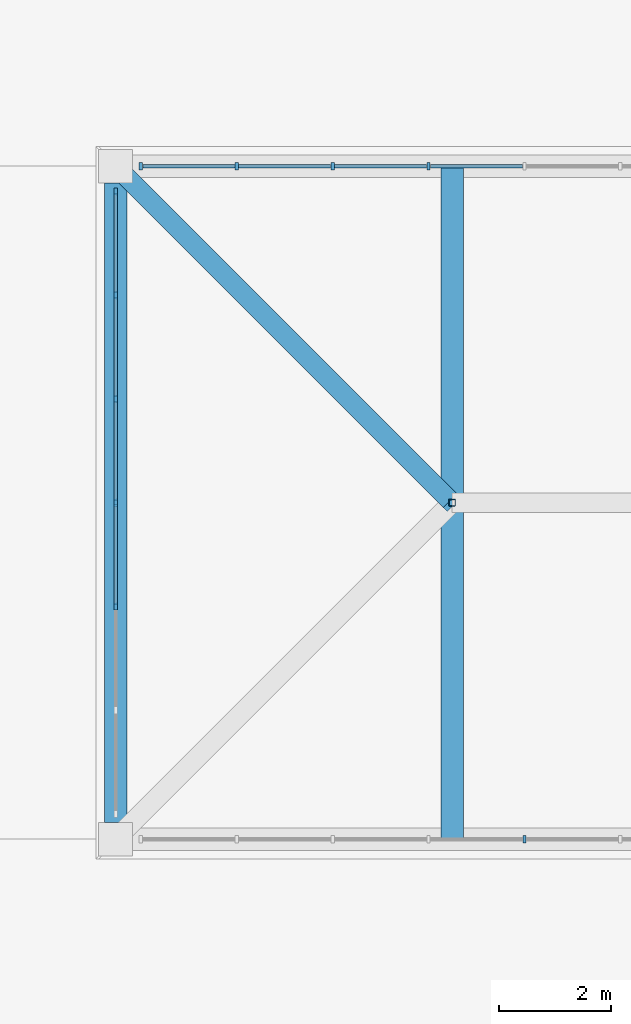
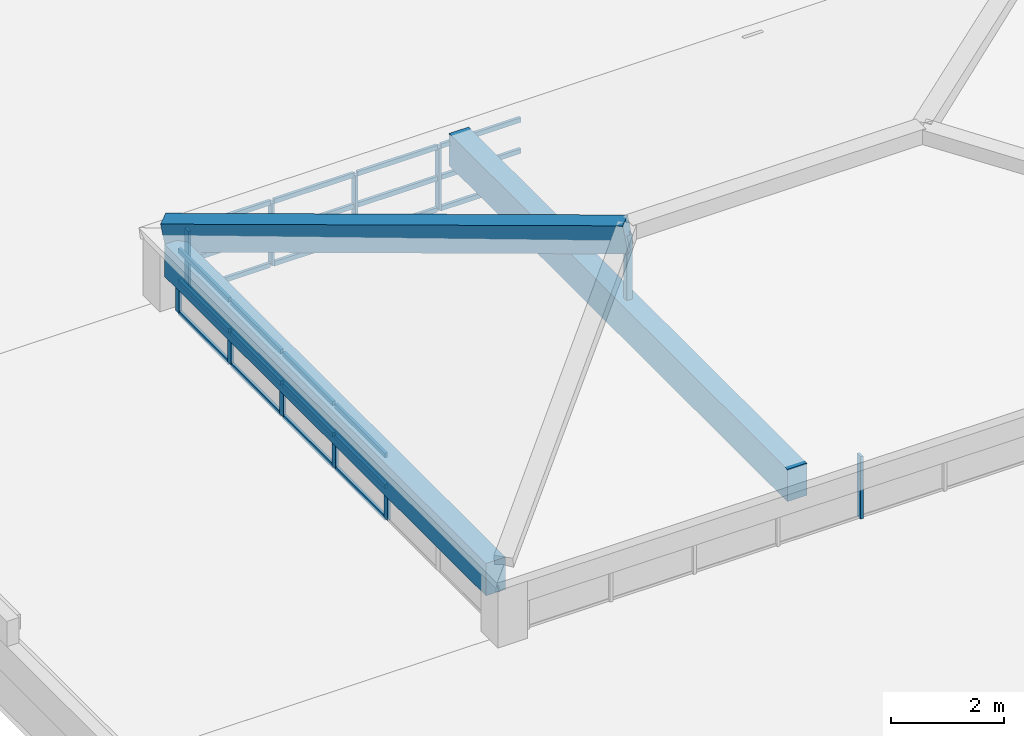
# One storey, part 35 of 56: 35 members, 3 beams, 3 elements without a shape of their own.
"""IFC4 building model written with IfcOpenShell, lengths in metres."""

from ifc_helpers import new_model, si_unit, direction, frame, origin, origin_2d, place, context, subcontext, project, spatial, rectangle, hollow_rectangle, extrude, material, layer, layer_set, material_profile, profile_set, type_object, element, aggregate, save


model = new_model("IFC4")

# Units and contexts
model_context = context("Model", 3, precision=1e-05, world=origin(), true_north=direction((0.0, 1.0)))
body_context = subcontext(model_context, "Body", "Model", "MODEL_VIEW")
ifc_project = project(units=[si_unit("LENGTHUNIT", "METRE"), si_unit("AREAUNIT", "SQUARE_METRE"), si_unit("VOLUMEUNIT", "CUBIC_METRE"), si_unit("PLANEANGLEUNIT", "RADIAN"), si_unit("MASSUNIT", "GRAM", prefix="KILO")], contexts=[model_context])

# Site, building, storey
site_placement = place(None, origin())
site = spatial("IfcSite", under=ifc_project, at=site_placement, CompositionType="ELEMENT")
building_placement = place(site_placement, origin())
building = spatial("IfcBuilding", under=site, at=building_placement, Name="Zacnel Wholesale Market", CompositionType="ELEMENT")
storey_placement = place(building_placement, frame((0.0, 0.0, 20.300048828125)))
storey = spatial("IfcBuildingStorey", under=building, at=storey_placement, Name="RF", CompositionType="ELEMENT", Elevation=20.300048828125)

# Beams
ifc_material_1 = material(Name="Concrete C40/50", Category="concrete")
ifc_material_profile_1 = material_profile(ifc_material_1, rectangle(XDim=0.35009765625, YDim=0.60009765625, at=origin_2d()), Name="ARCH RIB 350x600")
ifc_profile_set_1 = profile_set([ifc_material_profile_1], Name="Concrete C40/50")
beam_type_1 = type_object("IfcBeamType", Name="BM-AR600", PredefinedType="USERDEFINED", material=ifc_profile_set_1)
beam_1_placement = place(storey_placement, frame((153.0, 120.0, -2.469970703125), z_axis=(0.696310623823, -0.696310623823, 0.174077655956), x_axis=(0.707106781187, 0.707106781187, 0.0)))
element("IfcBeam", 1, at=beam_1_placement, inside=storey, type_object=beam_type_1, Name="Hipped crown rib STR-ROOF-V1-XLANTERN-4", ObjectType="ARCH RIB", PredefinedType="USERDEFINED", context=body_context, shape_type="SweptSolid", body=[
    extrude(rectangle(XDim=0.35009765625, YDim=0.60009765625, at=origin_2d()), origin(), (0.0, 0.0, 1.0), 8.616943359375),
])
ifc_material_2 = material(Name="Precast concrete C45/55", Category="concrete")
ifc_material_profile_2 = material_profile(ifc_material_2, rectangle(XDim=0.39990234375, YDim=0.699951171875, at=origin_2d()), Name="PG 400x700")
ifc_profile_set_2 = profile_set([ifc_material_profile_2], Name="Precast concrete C45/55")
beam_type_2 = type_object("IfcBeamType", Name="BM-PG700", PredefinedType="BEAM", material=ifc_profile_set_2)
beam_2_placement = place(storey_placement, frame((153.0, 108.300048828125, -2.820068359375), z_axis=(0.0, 1.0, 0.0), x_axis=(-1.0, 0.0, 0.0)))
element("IfcBeam", 2, at=beam_2_placement, inside=storey, type_object=beam_type_2, Name="Crossing lantern ring beam 03", PredefinedType="BEAM", context=body_context, shape_type="SweptSolid", body=[
    extrude(rectangle(XDim=0.39990234375, YDim=0.699951171875, at=origin_2d()), origin(), (0.0, 0.0, 1.0), 11.39990234375),
])
beam_3_placement = place(storey_placement, frame((159.0, 108.0, -2.699951171875), z_axis=(0.0, 1.0, 0.0), x_axis=(-1.0, 0.0, 0.0)))
element("IfcBeam", 3, at=beam_3_placement, inside=storey, type_object=beam_type_2, Name="Hipped crown tie beam STR-ROOF-V1-XLANTERN-1", PredefinedType="BEAM", context=body_context, shape_type="SweptSolid", body=[
    extrude(rectangle(XDim=0.39990234375, YDim=0.699951171875, at=origin_2d()), origin(), (0.0, 0.0, 1.0), 12.0),
])

# Curtain wall, member
ifc_material_3 = material(Name="Anodised aluminium", Category="aluminium")
ifc_layer = layer(ifc_material_3, 0.14990234375)
ifc_layer_set = layer_set([ifc_layer], Name="Anodised aluminium")
curtain_wall_type = type_object("IfcCurtainWallType", Name="CW-CLER-3600", PredefinedType="NOTDEFINED", material=ifc_layer_set)
curtain_wall_1_placement = place(storey_placement, origin())
curtain_wall_1 = element("IfcCurtainWall", 4, at=curtain_wall_1_placement, inside=storey, type_object=curtain_wall_type, Name="Curtain wall ENV-CW-XLAN-S", PredefinedType="NOTDEFINED")
ifc_material_4 = material(Name="Anodised aluminium", Category="aluminium")
ifc_material_profile_3 = material_profile(ifc_material_4, rectangle(XDim=0.06005859375, YDim=0.1298828125, at=origin_2d()), Name="AW-MULLION 60x130")
ifc_profile_set_3 = profile_set([ifc_material_profile_3], Name="Anodised aluminium")
member_type_1 = type_object("IfcMemberType", Name="CWM-MUL-06", PredefinedType="MULLION", material=ifc_profile_set_3)
member_1_placement = place(storey_placement, frame((160.2900390625, 108.0, -3.900146484375), z_axis=(0.0, 0.0, 1.0), x_axis=(1.0, 0.0, 0.0)))
member_1 = element("IfcMember", 5, at=member_1_placement, type_object=member_type_1, Name="ENV-CW-XLAN-S mullion 05", PredefinedType="MULLION", context=body_context, shape_type="SweptSolid", body=[
    extrude(rectangle(XDim=0.06005859375, YDim=0.1298828125, at=origin_2d()), origin(), (0.0, 0.0, 1.0), 1.35009765625),
])
aggregate(curtain_wall_1, [member_1])

# Curtain wall, members
curtain_wall_2_placement = place(storey_placement, origin())
curtain_wall_2 = element("IfcCurtainWall", 6, at=curtain_wall_2_placement, inside=storey, type_object=curtain_wall_type, Name="Curtain wall ENV-CW-XLAN-N", PredefinedType="NOTDEFINED")
member_2_placement = place(storey_placement, frame((153.449951171875, 120.0, -3.900146484375), z_axis=(0.0, 0.0, 1.0), x_axis=(1.0, 0.0, 0.0)))
member_2 = element("IfcMember", 7, at=member_2_placement, type_object=member_type_1, Name="ENV-CW-XLAN-N mullion 01", PredefinedType="MULLION", context=body_context, shape_type="SweptSolid", body=[
    extrude(rectangle(XDim=0.06005859375, YDim=0.1298828125, at=origin_2d()), origin(), (0.0, 0.0, 1.0), 1.35009765625),
])
member_3_placement = place(storey_placement, frame((155.159912109375, 120.0, -3.900146484375), z_axis=(0.0, 0.0, 1.0), x_axis=(1.0, 0.0, 0.0)))
member_3 = element("IfcMember", 8, at=member_3_placement, type_object=member_type_1, Name="ENV-CW-XLAN-N mullion 02", PredefinedType="MULLION", context=body_context, shape_type="SweptSolid", body=[
    extrude(rectangle(XDim=0.06005859375, YDim=0.1298828125, at=origin_2d()), origin(), (0.0, 0.0, 1.0), 1.35009765625),
])
member_4_placement = place(storey_placement, frame((156.8701171875, 120.0, -3.900146484375), z_axis=(0.0, 0.0, 1.0), x_axis=(1.0, 0.0, 0.0)))
member_4 = element("IfcMember", 9, at=member_4_placement, type_object=member_type_1, Name="ENV-CW-XLAN-N mullion 03", PredefinedType="MULLION", context=body_context, shape_type="SweptSolid", body=[
    extrude(rectangle(XDim=0.06005859375, YDim=0.1298828125, at=origin_2d()), origin(), (0.0, 0.0, 1.0), 1.35009765625),
])
member_5_placement = place(storey_placement, frame((158.580078125, 120.0, -3.900146484375), z_axis=(0.0, 0.0, 1.0), x_axis=(1.0, 0.0, 0.0)))
member_5 = element("IfcMember", 10, at=member_5_placement, type_object=member_type_1, Name="ENV-CW-XLAN-N mullion 04", PredefinedType="MULLION", context=body_context, shape_type="SweptSolid", body=[
    extrude(rectangle(XDim=0.06005859375, YDim=0.1298828125, at=origin_2d()), origin(), (0.0, 0.0, 1.0), 1.35009765625),
])

curtain_wall_3_placement = place(storey_placement, origin())
curtain_wall_3 = element("IfcCurtainWall", 11, at=curtain_wall_3_placement, inside=storey, type_object=curtain_wall_type, Name="Curtain wall ENV-CW-XLAN-W", PredefinedType="NOTDEFINED")
member_6_placement = place(storey_placement, frame((153.0, 112.14990234375, -3.900146484375), z_axis=(0.0, 0.0, 1.0), x_axis=(1.0, 0.0, 0.0)))
member_6 = element("IfcMember", 12, at=member_6_placement, type_object=member_type_1, Name="ENV-CW-XLAN-W mullion 03", PredefinedType="MULLION", context=body_context, shape_type="SweptSolid", body=[
    extrude(rectangle(XDim=0.06005859375, YDim=0.1298828125, at=origin_2d()), origin(), (0.0, 0.0, 1.0), 1.35009765625),
])
member_7_placement = place(storey_placement, frame((153.0, 114.0, -3.900146484375), z_axis=(0.0, 0.0, 1.0), x_axis=(1.0, 0.0, 0.0)))
member_7 = element("IfcMember", 13, at=member_7_placement, type_object=member_type_1, Name="ENV-CW-XLAN-W mullion 04", PredefinedType="MULLION", context=body_context, shape_type="SweptSolid", body=[
    extrude(rectangle(XDim=0.06005859375, YDim=0.1298828125, at=origin_2d()), origin(), (0.0, 0.0, 1.0), 1.35009765625),
])
member_8_placement = place(storey_placement, frame((153.0, 115.85009765625, -3.900146484375), z_axis=(0.0, 0.0, 1.0), x_axis=(1.0, 0.0, 0.0)))
member_8 = element("IfcMember", 14, at=member_8_placement, type_object=member_type_1, Name="ENV-CW-XLAN-W mullion 05", PredefinedType="MULLION", context=body_context, shape_type="SweptSolid", body=[
    extrude(rectangle(XDim=0.06005859375, YDim=0.1298828125, at=origin_2d()), origin(), (0.0, 0.0, 1.0), 1.35009765625),
])
member_9_placement = place(storey_placement, frame((153.0, 117.699951171875, -3.900146484375), z_axis=(0.0, 0.0, 1.0), x_axis=(1.0, 0.0, 0.0)))
member_9 = element("IfcMember", 15, at=member_9_placement, type_object=member_type_1, Name="ENV-CW-XLAN-W mullion 06", PredefinedType="MULLION", context=body_context, shape_type="SweptSolid", body=[
    extrude(rectangle(XDim=0.06005859375, YDim=0.1298828125, at=origin_2d()), origin(), (0.0, 0.0, 1.0), 1.35009765625),
])
member_10_placement = place(storey_placement, frame((153.0, 119.550048828125, -3.900146484375), z_axis=(0.0, 0.0, 1.0), x_axis=(1.0, 0.0, 0.0)))
member_10 = element("IfcMember", 16, at=member_10_placement, type_object=member_type_1, Name="ENV-CW-XLAN-W mullion 07", PredefinedType="MULLION", context=body_context, shape_type="SweptSolid", body=[
    extrude(rectangle(XDim=0.06005859375, YDim=0.1298828125, at=origin_2d()), origin(), (0.0, 0.0, 1.0), 1.35009765625),
])

# Member
ifc_material_5 = material(Name="Anodised aluminium", Category="aluminium")
ifc_material_profile_4 = material_profile(ifc_material_5, rectangle(XDim=0.06005859375, YDim=0.10009765625, at=origin_2d()), Name="AW-TRANSOM 60x100")
ifc_profile_set_4 = profile_set([ifc_material_profile_4], Name="Anodised aluminium")
member_type_2 = type_object("IfcMemberType", Name="CWM-TRN-06", PredefinedType="USERDEFINED", material=ifc_profile_set_4)
member_11_placement = place(storey_placement, frame((153.485107421875, 120.0, -3.900146484375), z_axis=(1.0, 0.0, 0.0), x_axis=(0.0, 1.0, 0.0)))
member_11 = element("IfcMember", 17, at=member_11_placement, type_object=member_type_2, Name="ENV-CW-XLAN-N transom 1-1", ObjectType="TRANSOM", PredefinedType="USERDEFINED", context=body_context, shape_type="SweptSolid", body=[
    extrude(rectangle(XDim=0.06005859375, YDim=0.10009765625, at=origin_2d()), origin(), (0.0, 0.0, 1.0), 1.639892578125),
])

member_12_placement = place(storey_placement, frame((153.485107421875, 120.0, -3.22509765625), z_axis=(1.0, 0.0, 0.0), x_axis=(0.0, 1.0, 0.0)))
member_12 = element("IfcMember", 18, at=member_12_placement, type_object=member_type_2, Name="ENV-CW-XLAN-N transom 1-2", ObjectType="TRANSOM", PredefinedType="USERDEFINED", context=body_context, shape_type="SweptSolid", body=[
    extrude(rectangle(XDim=0.06005859375, YDim=0.10009765625, at=origin_2d()), origin(), (0.0, 0.0, 1.0), 1.639892578125),
])

member_13_placement = place(storey_placement, frame((153.485107421875, 120.0, -2.550048828125), z_axis=(1.0, 0.0, 0.0), x_axis=(0.0, 1.0, 0.0)))
member_13 = element("IfcMember", 19, at=member_13_placement, type_object=member_type_2, Name="ENV-CW-XLAN-N transom 1-3", ObjectType="TRANSOM", PredefinedType="USERDEFINED", context=body_context, shape_type="SweptSolid", body=[
    extrude(rectangle(XDim=0.06005859375, YDim=0.10009765625, at=origin_2d()), origin(), (0.0, 0.0, 1.0), 1.639892578125),
])

member_14_placement = place(storey_placement, frame((155.195068359375, 120.0, -3.900146484375), z_axis=(1.0, 0.0, 0.0), x_axis=(0.0, 1.0, 0.0)))
member_14 = element("IfcMember", 20, at=member_14_placement, type_object=member_type_2, Name="ENV-CW-XLAN-N transom 2-1", ObjectType="TRANSOM", PredefinedType="USERDEFINED", context=body_context, shape_type="SweptSolid", body=[
    extrude(rectangle(XDim=0.06005859375, YDim=0.10009765625, at=origin_2d()), origin(), (0.0, 0.0, 1.0), 1.639892578125),
])

member_15_placement = place(storey_placement, frame((155.195068359375, 120.0, -3.22509765625), z_axis=(1.0, 0.0, 0.0), x_axis=(0.0, 1.0, 0.0)))
member_15 = element("IfcMember", 21, at=member_15_placement, type_object=member_type_2, Name="ENV-CW-XLAN-N transom 2-2", ObjectType="TRANSOM", PredefinedType="USERDEFINED", context=body_context, shape_type="SweptSolid", body=[
    extrude(rectangle(XDim=0.06005859375, YDim=0.10009765625, at=origin_2d()), origin(), (0.0, 0.0, 1.0), 1.639892578125),
])

member_16_placement = place(storey_placement, frame((155.195068359375, 120.0, -2.550048828125), z_axis=(1.0, 0.0, 0.0), x_axis=(0.0, 1.0, 0.0)))
member_16 = element("IfcMember", 22, at=member_16_placement, type_object=member_type_2, Name="ENV-CW-XLAN-N transom 2-3", ObjectType="TRANSOM", PredefinedType="USERDEFINED", context=body_context, shape_type="SweptSolid", body=[
    extrude(rectangle(XDim=0.06005859375, YDim=0.10009765625, at=origin_2d()), origin(), (0.0, 0.0, 1.0), 1.639892578125),
])

member_17_placement = place(storey_placement, frame((156.905029296875, 120.0, -3.900146484375), z_axis=(1.0, 0.0, 0.0), x_axis=(0.0, 1.0, 0.0)))
member_17 = element("IfcMember", 23, at=member_17_placement, type_object=member_type_2, Name="ENV-CW-XLAN-N transom 3-1", ObjectType="TRANSOM", PredefinedType="USERDEFINED", context=body_context, shape_type="SweptSolid", body=[
    extrude(rectangle(XDim=0.06005859375, YDim=0.10009765625, at=origin_2d()), origin(), (0.0, 0.0, 1.0), 1.639892578125),
])

member_18_placement = place(storey_placement, frame((156.905029296875, 120.0, -3.22509765625), z_axis=(1.0, 0.0, 0.0), x_axis=(0.0, 1.0, 0.0)))
member_18 = element("IfcMember", 24, at=member_18_placement, type_object=member_type_2, Name="ENV-CW-XLAN-N transom 3-2", ObjectType="TRANSOM", PredefinedType="USERDEFINED", context=body_context, shape_type="SweptSolid", body=[
    extrude(rectangle(XDim=0.06005859375, YDim=0.10009765625, at=origin_2d()), origin(), (0.0, 0.0, 1.0), 1.639892578125),
])

member_19_placement = place(storey_placement, frame((156.905029296875, 120.0, -2.550048828125), z_axis=(1.0, 0.0, 0.0), x_axis=(0.0, 1.0, 0.0)))
member_19 = element("IfcMember", 25, at=member_19_placement, type_object=member_type_2, Name="ENV-CW-XLAN-N transom 3-3", ObjectType="TRANSOM", PredefinedType="USERDEFINED", context=body_context, shape_type="SweptSolid", body=[
    extrude(rectangle(XDim=0.06005859375, YDim=0.10009765625, at=origin_2d()), origin(), (0.0, 0.0, 1.0), 1.639892578125),
])

member_20_placement = place(storey_placement, frame((158.614990234375, 120.0, -3.900146484375), z_axis=(1.0, 0.0, 0.0), x_axis=(0.0, 1.0, 0.0)))
member_20 = element("IfcMember", 26, at=member_20_placement, type_object=member_type_2, Name="ENV-CW-XLAN-N transom 4-1", ObjectType="TRANSOM", PredefinedType="USERDEFINED", context=body_context, shape_type="SweptSolid", body=[
    extrude(rectangle(XDim=0.06005859375, YDim=0.10009765625, at=origin_2d()), origin(), (0.0, 0.0, 1.0), 1.639892578125),
])

member_21_placement = place(storey_placement, frame((158.614990234375, 120.0, -3.22509765625), z_axis=(1.0, 0.0, 0.0), x_axis=(0.0, 1.0, 0.0)))
member_21 = element("IfcMember", 27, at=member_21_placement, type_object=member_type_2, Name="ENV-CW-XLAN-N transom 4-2", ObjectType="TRANSOM", PredefinedType="USERDEFINED", context=body_context, shape_type="SweptSolid", body=[
    extrude(rectangle(XDim=0.06005859375, YDim=0.10009765625, at=origin_2d()), origin(), (0.0, 0.0, 1.0), 1.639892578125),
])

member_22_placement = place(storey_placement, frame((158.614990234375, 120.0, -2.550048828125), z_axis=(1.0, 0.0, 0.0), x_axis=(0.0, 1.0, 0.0)))
member_22 = element("IfcMember", 28, at=member_22_placement, type_object=member_type_2, Name="ENV-CW-XLAN-N transom 4-3", ObjectType="TRANSOM", PredefinedType="USERDEFINED", context=body_context, shape_type="SweptSolid", body=[
    extrude(rectangle(XDim=0.06005859375, YDim=0.10009765625, at=origin_2d()), origin(), (0.0, 0.0, 1.0), 1.639892578125),
])

aggregate(curtain_wall_2, [member_2, member_3, member_4, member_5, member_11, member_12, member_13, member_14, member_15, member_16, member_17, member_18, member_19, member_20, member_21, member_22])

member_23_placement = place(storey_placement, frame((153.0, 112.18505859375, -3.900146484375), z_axis=(0.0, 1.0, 0.0), x_axis=(-1.0, 0.0, 0.0)))
member_23 = element("IfcMember", 29, at=member_23_placement, type_object=member_type_2, Name="ENV-CW-XLAN-W transom 3-1", ObjectType="TRANSOM", PredefinedType="USERDEFINED", context=body_context, shape_type="SweptSolid", body=[
    extrude(rectangle(XDim=0.06005859375, YDim=0.10009765625, at=origin_2d()), origin(), (0.0, 0.0, 1.0), 1.780029296875),
])

member_24_placement = place(storey_placement, frame((153.0, 112.18505859375, -3.22509765625), z_axis=(0.0, 1.0, 0.0), x_axis=(-1.0, 0.0, 0.0)))
member_24 = element("IfcMember", 30, at=member_24_placement, type_object=member_type_2, Name="ENV-CW-XLAN-W transom 3-2", ObjectType="TRANSOM", PredefinedType="USERDEFINED", context=body_context, shape_type="SweptSolid", body=[
    extrude(rectangle(XDim=0.06005859375, YDim=0.10009765625, at=origin_2d()), origin(), (0.0, 0.0, 1.0), 1.780029296875),
])

member_25_placement = place(storey_placement, frame((153.0, 112.18505859375, -2.550048828125), z_axis=(0.0, 1.0, 0.0), x_axis=(-1.0, 0.0, 0.0)))
member_25 = element("IfcMember", 31, at=member_25_placement, type_object=member_type_2, Name="ENV-CW-XLAN-W transom 3-3", ObjectType="TRANSOM", PredefinedType="USERDEFINED", context=body_context, shape_type="SweptSolid", body=[
    extrude(rectangle(XDim=0.06005859375, YDim=0.10009765625, at=origin_2d()), origin(), (0.0, 0.0, 1.0), 1.780029296875),
])

member_26_placement = place(storey_placement, frame((153.0, 114.034912109375, -3.900146484375), z_axis=(0.0, 1.0, 0.0), x_axis=(-1.0, 0.0, 0.0)))
member_26 = element("IfcMember", 32, at=member_26_placement, type_object=member_type_2, Name="ENV-CW-XLAN-W transom 4-1", ObjectType="TRANSOM", PredefinedType="USERDEFINED", context=body_context, shape_type="SweptSolid", body=[
    extrude(rectangle(XDim=0.06005859375, YDim=0.10009765625, at=origin_2d()), origin(), (0.0, 0.0, 1.0), 1.780029296875),
])

member_27_placement = place(storey_placement, frame((153.0, 114.034912109375, -3.22509765625), z_axis=(0.0, 1.0, 0.0), x_axis=(-1.0, 0.0, 0.0)))
member_27 = element("IfcMember", 33, at=member_27_placement, type_object=member_type_2, Name="ENV-CW-XLAN-W transom 4-2", ObjectType="TRANSOM", PredefinedType="USERDEFINED", context=body_context, shape_type="SweptSolid", body=[
    extrude(rectangle(XDim=0.06005859375, YDim=0.10009765625, at=origin_2d()), origin(), (0.0, 0.0, 1.0), 1.780029296875),
])

member_28_placement = place(storey_placement, frame((153.0, 114.034912109375, -2.550048828125), z_axis=(0.0, 1.0, 0.0), x_axis=(-1.0, 0.0, 0.0)))
member_28 = element("IfcMember", 34, at=member_28_placement, type_object=member_type_2, Name="ENV-CW-XLAN-W transom 4-3", ObjectType="TRANSOM", PredefinedType="USERDEFINED", context=body_context, shape_type="SweptSolid", body=[
    extrude(rectangle(XDim=0.06005859375, YDim=0.10009765625, at=origin_2d()), origin(), (0.0, 0.0, 1.0), 1.780029296875),
])

member_29_placement = place(storey_placement, frame((153.0, 115.885009765625, -3.900146484375), z_axis=(0.0, 1.0, 0.0), x_axis=(-1.0, 0.0, 0.0)))
member_29 = element("IfcMember", 35, at=member_29_placement, type_object=member_type_2, Name="ENV-CW-XLAN-W transom 5-1", ObjectType="TRANSOM", PredefinedType="USERDEFINED", context=body_context, shape_type="SweptSolid", body=[
    extrude(rectangle(XDim=0.06005859375, YDim=0.10009765625, at=origin_2d()), origin(), (0.0, 0.0, 1.0), 1.780029296875),
])

member_30_placement = place(storey_placement, frame((153.0, 115.885009765625, -3.22509765625), z_axis=(0.0, 1.0, 0.0), x_axis=(-1.0, 0.0, 0.0)))
member_30 = element("IfcMember", 36, at=member_30_placement, type_object=member_type_2, Name="ENV-CW-XLAN-W transom 5-2", ObjectType="TRANSOM", PredefinedType="USERDEFINED", context=body_context, shape_type="SweptSolid", body=[
    extrude(rectangle(XDim=0.06005859375, YDim=0.10009765625, at=origin_2d()), origin(), (0.0, 0.0, 1.0), 1.780029296875),
])

member_31_placement = place(storey_placement, frame((153.0, 115.885009765625, -2.550048828125), z_axis=(0.0, 1.0, 0.0), x_axis=(-1.0, 0.0, 0.0)))
member_31 = element("IfcMember", 37, at=member_31_placement, type_object=member_type_2, Name="ENV-CW-XLAN-W transom 5-3", ObjectType="TRANSOM", PredefinedType="USERDEFINED", context=body_context, shape_type="SweptSolid", body=[
    extrude(rectangle(XDim=0.06005859375, YDim=0.10009765625, at=origin_2d()), origin(), (0.0, 0.0, 1.0), 1.780029296875),
])

member_32_placement = place(storey_placement, frame((153.0, 117.735107421875, -3.900146484375), z_axis=(0.0, 1.0, 0.0), x_axis=(-1.0, 0.0, 0.0)))
member_32 = element("IfcMember", 38, at=member_32_placement, type_object=member_type_2, Name="ENV-CW-XLAN-W transom 6-1", ObjectType="TRANSOM", PredefinedType="USERDEFINED", context=body_context, shape_type="SweptSolid", body=[
    extrude(rectangle(XDim=0.06005859375, YDim=0.10009765625, at=origin_2d()), origin(), (0.0, 0.0, 1.0), 1.77978515625),
])

member_33_placement = place(storey_placement, frame((153.0, 117.735107421875, -3.22509765625), z_axis=(0.0, 1.0, 0.0), x_axis=(-1.0, 0.0, 0.0)))
member_33 = element("IfcMember", 39, at=member_33_placement, type_object=member_type_2, Name="ENV-CW-XLAN-W transom 6-2", ObjectType="TRANSOM", PredefinedType="USERDEFINED", context=body_context, shape_type="SweptSolid", body=[
    extrude(rectangle(XDim=0.06005859375, YDim=0.10009765625, at=origin_2d()), origin(), (0.0, 0.0, 1.0), 1.77978515625),
])

member_34_placement = place(storey_placement, frame((153.0, 117.735107421875, -2.550048828125), z_axis=(0.0, 1.0, 0.0), x_axis=(-1.0, 0.0, 0.0)))
member_34 = element("IfcMember", 40, at=member_34_placement, type_object=member_type_2, Name="ENV-CW-XLAN-W transom 6-3", ObjectType="TRANSOM", PredefinedType="USERDEFINED", context=body_context, shape_type="SweptSolid", body=[
    extrude(rectangle(XDim=0.06005859375, YDim=0.10009765625, at=origin_2d()), origin(), (0.0, 0.0, 1.0), 1.77978515625),
])

aggregate(curtain_wall_3, [member_6, member_7, member_8, member_9, member_10, member_23, member_24, member_25, member_26, member_27, member_28, member_29, member_30, member_31, member_32, member_33, member_34])

ifc_material_6 = material(Name="Steel S355", Category="steel")
ifc_material_profile_5 = material_profile(ifc_material_6, hollow_rectangle(XDim=0.1201171875, YDim=0.1201171875, WallThickness=0.00634765625, InnerFilletRadius=0.006103515625, OuterFilletRadius=0.011962890625, at=origin_2d()), Name="HSS 120x120x6.3")
ifc_profile_set_5 = profile_set([ifc_material_profile_5], Name="Steel S355")
member_type_3 = type_object("IfcMemberType", Name="MEM-PST-HSS120", PredefinedType="POST", material=ifc_profile_set_5)
member_35_placement = place(storey_placement, frame((159.0, 114.0, -2.800048828125), z_axis=(0.0, 0.0, 1.0), x_axis=(1.0, 0.0, 0.0)))
element("IfcMember", 41, at=member_35_placement, inside=storey, type_object=member_type_3, Name="Hipped crown king-post STR-ROOF-V1-XLANTERN-1", PredefinedType="POST", context=body_context, shape_type="SweptSolid", body=[
    extrude(hollow_rectangle(XDim=0.1201171875, YDim=0.1201171875, WallThickness=0.00634765625, InnerFilletRadius=0.006103515625, OuterFilletRadius=0.011962890625, at=origin_2d()), origin(), (0.0, 0.0, 1.0), 1.85009765625),
])

save(model, "model.ifc")
